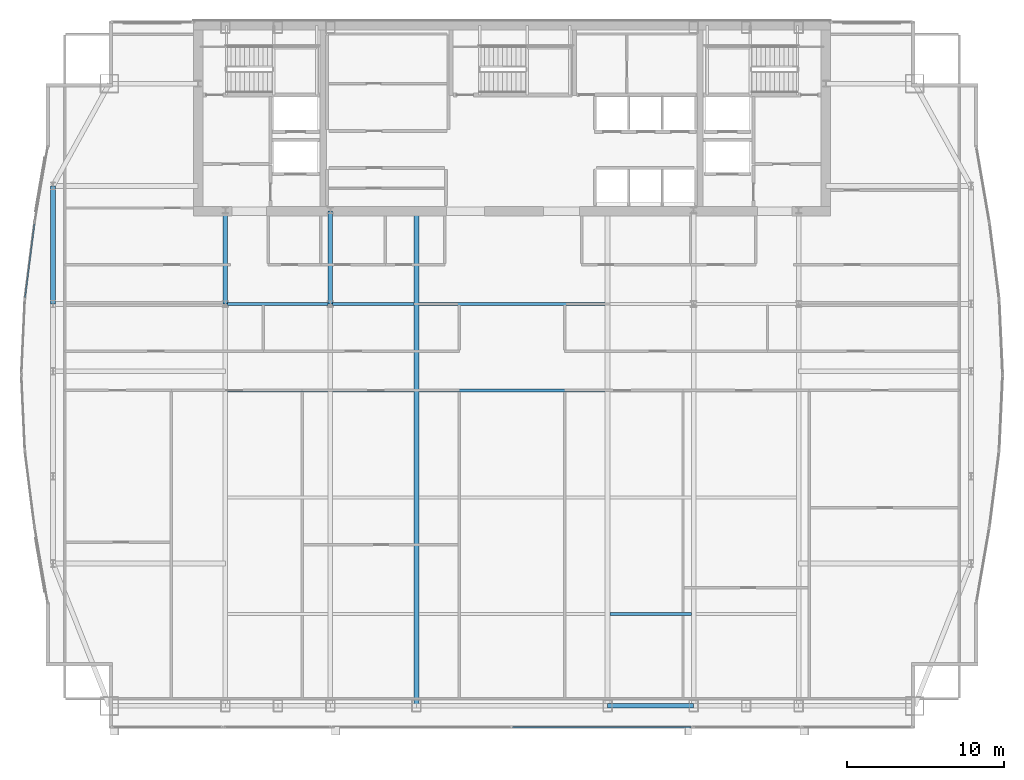
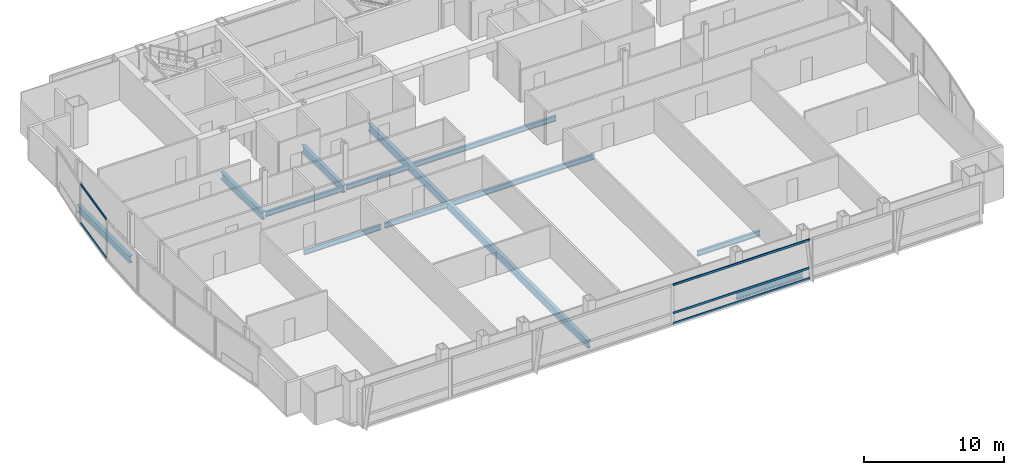
# One storey, part 11 of 30: 12 beams, 5 members, 2 elements without a shape of their own.
"""IFC4 building model written with IfcOpenShell, lengths in metres."""

from ifc_helpers import new_model, si_unit, direction, frame, origin, origin_2d, place, context, subcontext, project, spatial, hollow_rectangle, i_section, extrude, material, material_profile, profile_set, type_object, element, aggregate, save


model = new_model("IFC4")

# Units and contexts
model_context = context("Model", 3, precision=1e-05, world=origin(), true_north=direction((0.0, 1.0)))
body_context = subcontext(model_context, "Body", "Model", "MODEL_VIEW")
ifc_project = project(units=[si_unit("LENGTHUNIT", "METRE"), si_unit("AREAUNIT", "SQUARE_METRE"), si_unit("VOLUMEUNIT", "CUBIC_METRE"), si_unit("PLANEANGLEUNIT", "RADIAN"), si_unit("MASSUNIT", "GRAM", prefix="KILO")], contexts=[model_context])

# Site, building, storey
site_placement = place(None, origin())
site = spatial("IfcSite", under=ifc_project, at=site_placement, CompositionType="ELEMENT")
building_placement = place(site_placement, origin())
building = spatial("IfcBuilding", under=site, at=building_placement, Name="Khoronbel Lancet Exchange", CompositionType="ELEMENT")
storey_placement = place(building_placement, frame((0.0, 0.0, 224.60009765625)))
storey = spatial("IfcBuildingStorey", under=building, at=storey_placement, Name="L57", CompositionType="ELEMENT", Elevation=224.60009765625)

# Beams
ifc_material_1 = material(Name="Steel S355", Category="steel")
ifc_material_profile_1 = material_profile(ifc_material_1, i_section(OverallWidth=0.300048828125, OverallDepth=0.64990234375, WebThickness=0.01611328125, FlangeThickness=0.031005859375, at=origin_2d()), Name="HEB 650")
ifc_profile_set_1 = profile_set([ifc_material_profile_1], Name="Steel S355")
beam_type_1 = type_object("IfcBeamType", Name="BM-BG4", PredefinedType="BEAM", material=ifc_profile_set_1)
for number, where, z_axis, x_axis, name in (
    (1, (18.22509765625, 35.699951171875, -0.485107421875), (0.0, 1.0, 0.0), (-1.0, 0.0, 0.0), "Level L57 spine tie girder GN1"),
    (2, (24.89990234375, 35.699951171875, -0.485107421875), (0.0, 1.0, 0.0), (-1.0, 0.0, 0.0), "Level L57 spine tie girder GN2"),
):
    element("IfcBeam", number, at=place(storey_placement, frame(where, z_axis=z_axis, x_axis=x_axis)), inside=storey, type_object=beam_type_1, Name=name, PredefinedType="BEAM", context=body_context, shape_type="SweptSolid", body=[
        extrude(i_section(OverallWidth=0.300048828125, OverallDepth=0.64990234375, WebThickness=0.01611328125, FlangeThickness=0.031005859375, at=origin_2d()), origin(), (0.0, 0.0, 1.0), 5.900146484375),
    ])
beam_1_placement = place(storey_placement, frame((30.375, 10.14990234375, -0.485107421875), z_axis=(0.0, 1.0, 0.0), x_axis=(-1.0, 0.0, 0.0)))
element("IfcBeam", 3, at=beam_1_placement, inside=storey, type_object=beam_type_1, Name="Level L57 primary floor girder G3", PredefinedType="BEAM", context=body_context, shape_type="SweptSolid", body=[
    extrude(i_section(OverallWidth=0.300048828125, OverallDepth=0.64990234375, WebThickness=0.01611328125, FlangeThickness=0.031005859375, at=origin_2d()), origin(), (0.0, 0.0, 1.0), 31.4501953125),
])
ifc_material_profile_2 = material_profile(ifc_material_1, i_section(OverallWidth=0.18994140625, OverallDepth=0.449951171875, WebThickness=0.009521484375, FlangeThickness=0.0146484375, at=origin_2d()), Name="IPE 450")
ifc_profile_set_2 = profile_set([ifc_material_profile_2], Name="Steel S355")
beam_type_2 = type_object("IfcBeamType", Name="BM-BJ4", PredefinedType="JOIST", material=ifc_profile_set_2)
beam_2_placement = place(storey_placement, frame((42.675048828125, 16.0, -0.385009765625), z_axis=(1.0, 0.0, 0.0), x_axis=(0.0, 1.0, 0.0)))
element("IfcBeam", 4, at=beam_2_placement, inside=storey, type_object=beam_type_2, Name="Level L57 secondary composite joist J04", PredefinedType="JOIST", context=body_context, shape_type="SweptSolid", body=[
    extrude(i_section(OverallWidth=0.18994140625, OverallDepth=0.449951171875, WebThickness=0.009521484375, FlangeThickness=0.0146484375, at=origin_2d()), origin(), (0.0, 0.0, 1.0), 5.175048828125),
])
beam_3_placement = place(storey_placement, frame((18.375, 30.199951171875, -0.385009765625), z_axis=(1.0, 0.0, 0.0), x_axis=(0.0, 1.0, 0.0)))
element("IfcBeam", 5, at=beam_3_placement, inside=storey, type_object=beam_type_2, Name="Level L57 secondary composite joist J11", PredefinedType="JOIST", context=body_context, shape_type="SweptSolid", body=[
    extrude(i_section(OverallWidth=0.18994140625, OverallDepth=0.449951171875, WebThickness=0.009521484375, FlangeThickness=0.0146484375, at=origin_2d()), origin(), (0.0, 0.0, 1.0), 6.375),
])
beam_4_placement = place(storey_placement, frame((25.050048828125, 30.199951171875, -0.385009765625), z_axis=(1.0, 0.0, 0.0), x_axis=(0.0, 1.0, 0.0)))
element("IfcBeam", 6, at=beam_4_placement, inside=storey, type_object=beam_type_2, Name="Level L57 secondary composite joist J12", PredefinedType="JOIST", context=body_context, shape_type="SweptSolid", body=[
    extrude(i_section(OverallWidth=0.18994140625, OverallDepth=0.449951171875, WebThickness=0.009521484375, FlangeThickness=0.0146484375, at=origin_2d()), origin(), (0.0, 0.0, 1.0), 5.175048828125),
])
beam_5_placement = place(storey_placement, frame((30.52490234375, 30.199951171875, -0.385009765625), z_axis=(1.0, 0.0, 0.0), x_axis=(0.0, 1.0, 0.0)))
element("IfcBeam", 7, at=beam_5_placement, inside=storey, type_object=beam_type_2, Name="Level L57 secondary composite joist J13", PredefinedType="JOIST", context=body_context, shape_type="SweptSolid", body=[
    extrude(i_section(OverallWidth=0.18994140625, OverallDepth=0.449951171875, WebThickness=0.009521484375, FlangeThickness=0.0146484375, at=origin_2d()), origin(), (0.0, 0.0, 1.0), 11.85009765625),
])
beam_6_placement = place(storey_placement, frame((18.375, 35.699951171875, -0.385009765625), z_axis=(1.0, 0.0, 0.0), x_axis=(0.0, 1.0, 0.0)))
element("IfcBeam", 8, at=beam_6_placement, inside=storey, type_object=beam_type_2, Name="Level L57 secondary composite joist J16", PredefinedType="JOIST", context=body_context, shape_type="SweptSolid", body=[
    extrude(i_section(OverallWidth=0.18994140625, OverallDepth=0.449951171875, WebThickness=0.009521484375, FlangeThickness=0.0146484375, at=origin_2d()), origin(), (0.0, 0.0, 1.0), 6.375),
])
beam_7_placement = place(storey_placement, frame((25.050048828125, 35.699951171875, -0.385009765625), z_axis=(1.0, 0.0, 0.0), x_axis=(0.0, 1.0, 0.0)))
element("IfcBeam", 9, at=beam_7_placement, inside=storey, type_object=beam_type_2, Name="Level L57 secondary composite joist J17", PredefinedType="JOIST", context=body_context, shape_type="SweptSolid", body=[
    extrude(i_section(OverallWidth=0.18994140625, OverallDepth=0.449951171875, WebThickness=0.009521484375, FlangeThickness=0.0146484375, at=origin_2d()), origin(), (0.0, 0.0, 1.0), 5.175048828125),
])
beam_8_placement = place(storey_placement, frame((30.52490234375, 35.699951171875, -0.385009765625), z_axis=(1.0, 0.0, 0.0), x_axis=(0.0, 1.0, 0.0)))
element("IfcBeam", 10, at=beam_8_placement, inside=storey, type_object=beam_type_2, Name="Level L57 secondary composite joist J18", PredefinedType="JOIST", context=body_context, shape_type="SweptSolid", body=[
    extrude(i_section(OverallWidth=0.18994140625, OverallDepth=0.449951171875, WebThickness=0.009521484375, FlangeThickness=0.0146484375, at=origin_2d()), origin(), (0.0, 0.0, 1.0), 11.85009765625),
])
ifc_material_profile_3 = material_profile(ifc_material_1, i_section(OverallWidth=0.300048828125, OverallDepth=0.60009765625, WebThickness=0.015380859375, FlangeThickness=0.030029296875, at=origin_2d()), Name="HEB 600")
ifc_profile_set_3 = profile_set([ifc_material_profile_3], Name="Steel S355")
beam_type_3 = type_object("IfcBeamType", Name="BM-BSP2", PredefinedType="SPANDREL", material=ifc_profile_set_3)
beam_9_placement = place(storey_placement, frame((42.52490234375, 10.14990234375, -0.460205078125), z_axis=(1.0, 0.0, 0.0), x_axis=(0.0, 1.0, 0.0)))
element("IfcBeam", 11, at=beam_9_placement, inside=storey, type_object=beam_type_3, Name="Level L57 perimeter spandrel beam SP06", PredefinedType="SPANDREL", context=body_context, shape_type="SweptSolid", body=[
    extrude(i_section(OverallWidth=0.300048828125, OverallDepth=0.60009765625, WebThickness=0.015380859375, FlangeThickness=0.030029296875, at=origin_2d()), origin(), (0.0, 0.0, 1.0), 5.47509765625),
])
beam_10_placement = place(storey_placement, frame((7.27001953125, 43.199951171875, -0.460205078125), z_axis=(0.0, -1.0, 0.0), x_axis=(1.0, 0.0, 0.0)))
element("IfcBeam", 12, at=beam_10_placement, inside=storey, type_object=beam_type_3, Name="Level L57 perimeter spandrel beam SP17", PredefinedType="SPANDREL", context=body_context, shape_type="SweptSolid", body=[
    extrude(i_section(OverallWidth=0.300048828125, OverallDepth=0.60009765625, WebThickness=0.015380859375, FlangeThickness=0.030029296875, at=origin_2d()), origin(), (0.0, 0.0, 1.0), 7.5),
])

# Curtain wall, members
ifc_material_2 = material(Name="Low-E Solar Control Insulating Glass", Category="glass")
curtain_wall_type_1 = type_object("IfcCurtainWallType", Name="CW-4", PredefinedType="NOTDEFINED", material=ifc_material_2)
curtain_wall_1_placement = place(storey_placement, origin())
curtain_wall_1 = element("IfcCurtainWall", 13, at=curtain_wall_1_placement, inside=storey, type_object=curtain_wall_type_1, Name="Unitised curtain wall CW-L57-E08", PredefinedType="NOTDEFINED")
ifc_material_3 = material(Name="Bronze-Anodised Aluminium 6063-T6", Category="aluminium")
ifc_material_profile_4 = material_profile(ifc_material_3, hollow_rectangle(XDim=0.0849609375, YDim=0.179931640625, WallThickness=0.0048828125, at=origin_2d()), Name="ALU TRANSOM 85x180")
ifc_profile_set_4 = profile_set([ifc_material_profile_4], Name="Bronze-Anodised Aluminium 6063-T6")
member_type = type_object("IfcMemberType", Name="MEM-CWT1", PredefinedType="USERDEFINED", material=ifc_profile_set_4)
member_1_placement = place(storey_placement, frame((5.49755859375, 36.099853515625, 0.04248046875), z_axis=(0.125939384523, 0.992037938501, 0.0), x_axis=(-0.992037938501, 0.125939384523, 0.0)))
member_1 = element("IfcMember", 14, at=member_1_placement, type_object=member_type, Name="CW4 transom 1.1", ObjectType="TRANSOM", PredefinedType="USERDEFINED", context=body_context, shape_type="SweptSolid", body=[
    extrude(hollow_rectangle(XDim=0.0849609375, YDim=0.179931640625, WallThickness=0.0048828125, at=origin_2d()), origin(), (0.0, 0.0, 1.0), 4.716552734375),
])
member_2_placement = place(storey_placement, frame((5.49755859375, 36.099853515625, 3.3974609375), z_axis=(0.125939384523, 0.992037938501, 0.0), x_axis=(-0.992037938501, 0.125939384523, 0.0)))
member_2 = element("IfcMember", 15, at=member_2_placement, type_object=member_type, Name="CW4 transom 1.2", ObjectType="TRANSOM", PredefinedType="USERDEFINED", context=body_context, shape_type="SweptSolid", body=[
    extrude(hollow_rectangle(XDim=0.0849609375, YDim=0.179931640625, WallThickness=0.0048828125, at=origin_2d()), origin(), (0.0, 0.0, 1.0), 4.716552734375),
])
aggregate(curtain_wall_1, [member_1, member_2])

curtain_wall_type_2 = type_object("IfcCurtainWallType", Name="CW-3", PredefinedType="NOTDEFINED", material=ifc_material_2)
curtain_wall_2_placement = place(storey_placement, origin())
curtain_wall_2 = element("IfcCurtainWall", 16, at=curtain_wall_2_placement, inside=storey, type_object=curtain_wall_type_2, Name="Unitised curtain wall CW-L57-SCV", PredefinedType="NOTDEFINED")
member_3_placement = place(storey_placement, frame((36.492431640625, 8.7900390625, 0.04248046875), z_axis=(1.0, 0.0, 0.0), x_axis=(0.0, 1.0, 0.0)))
member_3 = element("IfcMember", 17, at=member_3_placement, type_object=member_type, Name="CW3 transom 2.1", ObjectType="TRANSOM", PredefinedType="USERDEFINED", context=body_context, shape_type="SweptSolid", body=[
    extrude(hollow_rectangle(XDim=0.0849609375, YDim=0.179931640625, WallThickness=0.0048828125, at=origin_2d()), origin(), (0.0, 0.0, 1.0), 11.322509765625),
])
member_4_placement = place(storey_placement, frame((36.492431640625, 8.7900390625, 0.949951171875), z_axis=(1.0, 0.0, 0.0), x_axis=(0.0, 1.0, 0.0)))
member_4 = element("IfcMember", 18, at=member_4_placement, type_object=member_type, Name="CW3 transom 2.2", ObjectType="TRANSOM", PredefinedType="USERDEFINED", context=body_context, shape_type="SweptSolid", body=[
    extrude(hollow_rectangle(XDim=0.0849609375, YDim=0.179931640625, WallThickness=0.0048828125, at=origin_2d()), origin(), (0.0, 0.0, 1.0), 11.322509765625),
])
member_5_placement = place(storey_placement, frame((36.492431640625, 8.7900390625, 3.3974609375), z_axis=(1.0, 0.0, 0.0), x_axis=(0.0, 1.0, 0.0)))
member_5 = element("IfcMember", 19, at=member_5_placement, type_object=member_type, Name="CW3 transom 2.3", ObjectType="TRANSOM", PredefinedType="USERDEFINED", context=body_context, shape_type="SweptSolid", body=[
    extrude(hollow_rectangle(XDim=0.0849609375, YDim=0.179931640625, WallThickness=0.0048828125, at=origin_2d()), origin(), (0.0, 0.0, 1.0), 11.322509765625),
])
aggregate(curtain_wall_2, [member_3, member_4, member_5])

save(model, "model.ifc")
